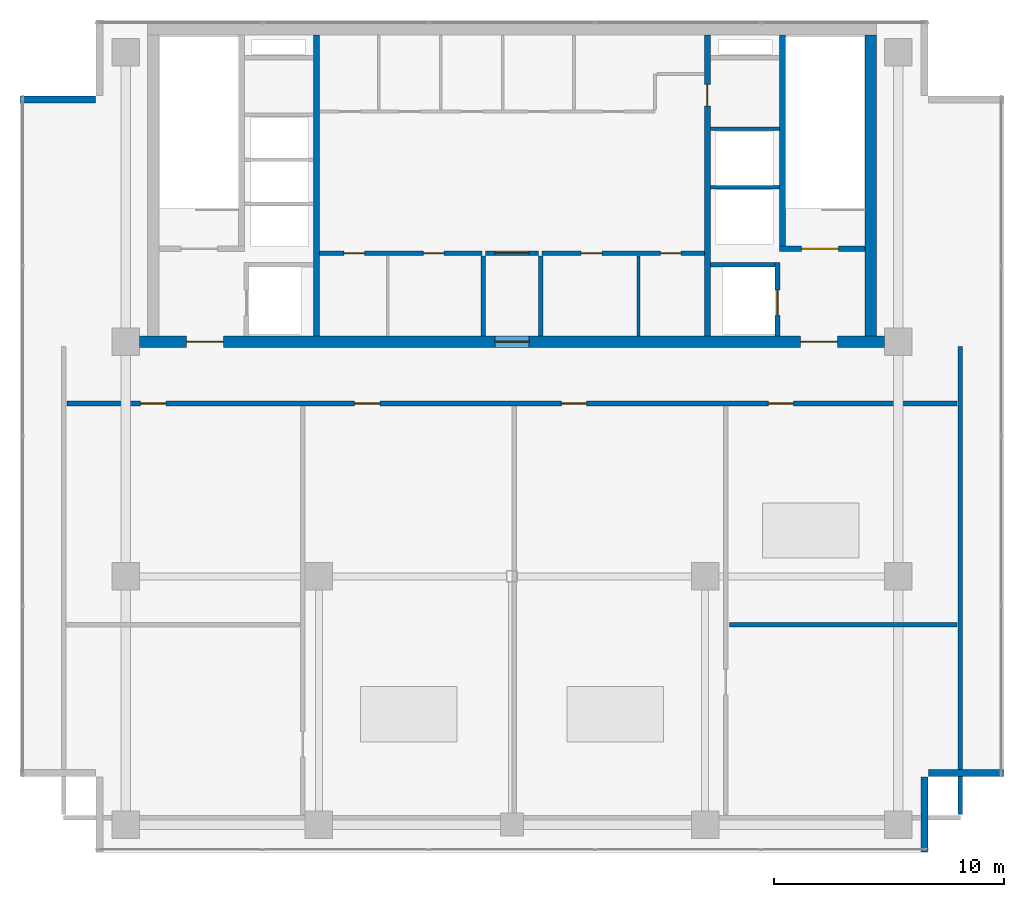
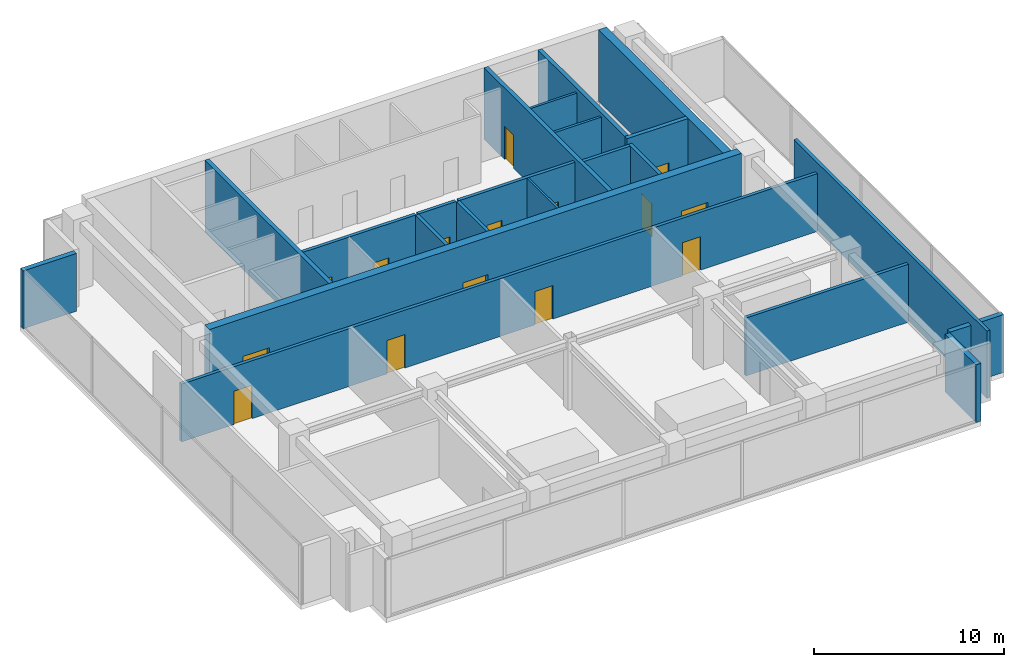
# One storey, part 16 of 19: 22 walls, 15 doors, 15 openings.
"""IFC4 building model written with IfcOpenShell, lengths in metres."""

import ifcopenshell
import ifcopenshell.guid

model = None  # the IFC model being written
_history = None  # IfcOwnerHistory: only IFC2X3 demands one
_inside = {}  # id of a spatial element -> (the spatial element, [elements in it])
_under = {}  # id of a project, library or spatial element -> (it, [spatial elements below it])
_declared = {}  # id of a project -> (the project, [libraries it declares])
_typed = {}  # id of a type object -> (the type object, [elements of that type])
_made_of = {}  # id of a material, layer set ... -> (it, [elements and type objects made of it])


def new_model(schema):
    """Start an empty IFC model of exactly this schema.

    Asked for "IFC4X3", IfcOpenShell would pick the latest addendum, in which some entities
    have other attributes; the version numbers below select the first issue.
    IFC2X3 requires an IfcOwnerHistory on every rooted entity: one is made here for all.
    """
    global model, _history
    if schema == "IFC4X3":
        model = ifcopenshell.file(schema_version=(4, 3, 0, 0))
    else:
        model = ifcopenshell.file(schema=schema)
    _inside.clear()
    _under.clear()
    _declared.clear()
    _typed.clear()
    _made_of.clear()
    _history = None
    if model.schema == "IFC2X3":
        org = make("IfcOrganization", Name="unknown")
        user = make(
            "IfcPersonAndOrganization",
            ThePerson=make("IfcPerson", FamilyName="unknown"),
            TheOrganization=org,
        )
        app = make(
            "IfcApplication",
            ApplicationDeveloper=org,
            Version="unknown",
            ApplicationFullName="unknown",
            ApplicationIdentifier="unknown",
        )
        _history = make(
            "IfcOwnerHistory",
            OwningUser=user,
            OwningApplication=app,
            ChangeAction="ADDED",
            CreationDate=0,
        )
    return model


def make(cls, **values):
    """One entity of the class cls with the attributes given. An attribute that is None is left unset."""
    return model.create_entity(
        cls, **{name: value for name, value in values.items() if value is not None}
    )


def rooted(cls, **values):
    """An entity with a GlobalId (a new one), such as an element, a storey or a relation."""
    return make(cls, GlobalId=ifcopenshell.guid.new(), OwnerHistory=_history, **values)


def si_unit(unit_type, name, prefix=None):
    """IfcSIUnit, for example si_unit("LENGTHUNIT", "METRE", prefix="MILLI")."""
    return make("IfcSIUnit", UnitType=unit_type, Prefix=prefix, Name=name)


def assignment(units):
    """IfcUnitAssignment: the units of a project."""
    return None if units is None else make("IfcUnitAssignment", Units=units)


def point(xyz):
    """IfcCartesianPoint."""
    return None if xyz is None else make("IfcCartesianPoint", Coordinates=xyz)


def direction(xyz):
    """IfcDirection."""
    return None if xyz is None else make("IfcDirection", DirectionRatios=xyz)


def frame(location, z_axis=None, x_axis=None):
    """IfcAxis2Placement3D, a coordinate frame: its origin and axes. An axis left out is left unset."""
    return make(
        "IfcAxis2Placement3D",
        Location=point(location),
        Axis=direction(z_axis),
        RefDirection=direction(x_axis),
    )


def frame_2d(location, x_axis=None):
    """IfcAxis2Placement2D, a coordinate frame in the plane: its origin and x axis."""
    return make(
        "IfcAxis2Placement2D", Location=point(location), RefDirection=direction(x_axis)
    )


def origin():
    """The frame at (0, 0, 0) with its axes left unset."""
    return frame((0.0, 0.0, 0.0))


def place(relative_to, where):
    """IfcLocalPlacement: puts the frame where relative to a parent placement (None: the world)."""
    return make(
        "IfcLocalPlacement", PlacementRelTo=relative_to, RelativePlacement=where
    )


def context(
    kind, dimensions, precision=None, world=None, true_north=None, identifier=None
):
    """IfcGeometricRepresentationContext, for example the 3D "Model" context."""
    return make(
        "IfcGeometricRepresentationContext",
        ContextIdentifier=identifier,
        ContextType=kind,
        CoordinateSpaceDimension=dimensions,
        Precision=precision,
        WorldCoordinateSystem=world,
        TrueNorth=true_north,
    )


def subcontext(parent, identifier, kind, view, scale=None):
    """IfcGeometricRepresentationSubContext, for example "Body" below "Model"."""
    return make(
        "IfcGeometricRepresentationSubContext",
        ContextIdentifier=identifier,
        ContextType=kind,
        ParentContext=parent,
        TargetScale=scale,
        TargetView=view,
    )


def project(units=None, contexts=None):
    """IfcProject with its units and contexts."""
    return rooted(
        "IfcProject",
        Name="project",
        RepresentationContexts=contexts,
        UnitsInContext=assignment(units),
    )


def spatial(cls, under=None, at=None, **own):
    """A site, building, storey or space (cls), placed at a placement, below another one or the project."""
    s = rooted(cls, ObjectPlacement=at, **own)
    if under is not None:
        _under.setdefault(under.id(), (under, []))[1].append(s)
    return s


def profile(cls, at=None, kind="AREA", **sizes):
    """A parametric profile (cls). Its sizes go by their IFC names, for example OverallWidth=200.0."""
    return make(cls, ProfileType=kind, Position=at, **sizes)


def rectangle(**sizes):
    """IfcRectangleProfileDef."""
    return profile("IfcRectangleProfileDef", **sizes)


def extrude(swept, where, along, depth):
    """IfcExtrudedAreaSolid: the profile swept, set in the frame where, extruded along a direction by depth."""
    return make(
        "IfcExtrudedAreaSolid",
        SweptArea=swept,
        Position=where,
        ExtrudedDirection=direction(along),
        Depth=depth,
    )


def shape(context_of_items, identifier, shape_type, items):
    """IfcShapeRepresentation: the items that make up one representation, for example the "Body"."""
    return make(
        "IfcShapeRepresentation",
        ContextOfItems=context_of_items,
        RepresentationIdentifier=identifier,
        RepresentationType=shape_type,
        Items=items,
    )


def source(mapping_origin, context_of_items, identifier, shape_type, items):
    """IfcRepresentationMap: a shape defined once, which mapped items show again and again."""
    return make(
        "IfcRepresentationMap",
        MappingOrigin=mapping_origin,
        MappedRepresentation=shape(context_of_items, identifier, shape_type, items),
    )


def transform(
    local_origin,
    x_axis=None,
    y_axis=None,
    z_axis=None,
    scale=None,
    scale2=None,
    scale3=None,
    uniform=True,
):
    """IfcCartesianTransformationOperator3D, or its non-uniform kind. x_axis, y_axis, z_axis: its Axis1, 2, 3."""
    if uniform:
        return make(
            "IfcCartesianTransformationOperator3D",
            Axis1=direction(x_axis),
            Axis2=direction(y_axis),
            LocalOrigin=point(local_origin),
            Scale=scale,
            Axis3=direction(z_axis),
        )
    return make(
        "IfcCartesianTransformationOperator3DnonUniform",
        Axis1=direction(x_axis),
        Axis2=direction(y_axis),
        LocalOrigin=point(local_origin),
        Scale=scale,
        Axis3=direction(z_axis),
        Scale2=scale2,
        Scale3=scale3,
    )


def mapped(mapping_source, mapping_target):
    """IfcMappedItem: shows the shape of a source again, moved by a transform."""
    return make(
        "IfcMappedItem", MappingSource=mapping_source, MappingTarget=mapping_target
    )


def material(Name=None, Category=None):
    """IfcMaterial."""
    return make("IfcMaterial", Name=Name, Category=Category)


def layer(
    of_material, thickness, ventilated=None, Name=None, Category=None, Priority=None
):
    """IfcMaterialLayer: one layer of a wall or slab, of a material (None: an air gap)."""
    return make(
        "IfcMaterialLayer",
        Material=of_material,
        LayerThickness=thickness,
        IsVentilated=ventilated,
        Name=Name,
        Category=Category,
        Priority=Priority,
    )


def layer_set(layers, Name=None):
    """IfcMaterialLayerSet."""
    return make("IfcMaterialLayerSet", MaterialLayers=layers, LayerSetName=Name)


def made_of(thing, what):
    """Note that an element or type object is made of a material, layer set ...; save() writes the relation."""
    if what is not None:
        _made_of.setdefault(what.id(), (what, []))[1].append(thing)
    return thing


def type_object(cls, material=None, **own):
    """A type object (cls), such as IfcWallType, which elements share."""
    return made_of(rooted(cls, **own), material)


def element(
    cls,
    number,
    at=None,
    inside=None,
    cuts=None,
    type_object=None,
    material=None,
    context=None,
    identifier="Body",
    shape_type=None,
    held_by="IfcProductDefinitionShape",
    body=None,
    shapes=None,
    **own,
):
    """One element of the class cls, such as IfcWall. Its Tag is "e" and its number.

    at: its placement. inside: the storey or other place that contains it. cuts: it is an
    opening in that element (IfcRelVoidsElement). A single representation is given by context,
    identifier, shape_type and body (its items); several are given by shapes. held_by: the class
    of the entity that holds the representations. save() writes the other relations.
    """
    e = rooted(cls, Tag="e%d" % number, ObjectPlacement=at, **own)
    if body is not None:
        shapes = [shape(context, identifier, shape_type, body)]
    if shapes is not None:
        e.Representation = make(held_by, Representations=shapes)
    if inside is not None:
        _inside.setdefault(inside.id(), (inside, []))[1].append(e)
    if cuts is not None:
        rooted(
            "IfcRelVoidsElement", RelatingBuildingElement=cuts, RelatedOpeningElement=e
        )
    if type_object is not None:
        _typed.setdefault(type_object.id(), (type_object, []))[1].append(e)
    return made_of(e, material)


def fill(opening, filler):
    """IfcRelFillsElement: the door or window that sits in an opening."""
    return rooted(
        "IfcRelFillsElement",
        RelatingOpeningElement=opening,
        RelatedBuildingElement=filler,
    )


def aggregate(whole, parts):
    """IfcRelAggregates: a whole, such as a stair, and the parts it consists of."""
    return rooted("IfcRelAggregates", RelatingObject=whole, RelatedObjects=parts)


def save(model, path):
    """Write the relations noted so far, then the file.

    IfcRelAggregates (storeys below a building ...), IfcRelContainedInSpatialStructure (elements
    in a storey), IfcRelDefinesByType, IfcRelAssociatesMaterial and IfcRelDeclares: one each for
    every whole, place, type object, material and project.
    """
    for whole, parts in _under.values():
        aggregate(whole, parts)
    for where, things in _inside.values():
        rooted(
            "IfcRelContainedInSpatialStructure",
            RelatedElements=things,
            RelatingStructure=where,
        )
    for kind, things in _typed.values():
        rooted("IfcRelDefinesByType", RelatedObjects=things, RelatingType=kind)
    for what, things in _made_of.values():
        rooted("IfcRelAssociatesMaterial", RelatedObjects=things, RelatingMaterial=what)
    for by, libraries in _declared.values():
        rooted("IfcRelDeclares", RelatingContext=by, RelatedDefinitions=libraries)
    model.write(path)


model = new_model("IFC4")

# Units and contexts
model_context = context("Model", 3, precision=1e-05, world=origin(), true_north=direction((0.0, 1.0)))
body_context = subcontext(model_context, "Body", "Model", "MODEL_VIEW")
ifc_project = project(units=[si_unit("LENGTHUNIT", "METRE"), si_unit("AREAUNIT", "SQUARE_METRE"), si_unit("VOLUMEUNIT", "CUBIC_METRE"), si_unit("PLANEANGLEUNIT", "RADIAN"), si_unit("MASSUNIT", "GRAM", prefix="KILO")], contexts=[model_context])

# Site, building, storey
site_placement = place(None, origin())
site = spatial("IfcSite", under=ifc_project, at=site_placement, CompositionType="ELEMENT")
building_placement = place(site_placement, origin())
building = spatial("IfcBuilding", under=site, at=building_placement, Name="Sumidabori Civic Tower", CompositionType="ELEMENT")
storey_placement = place(building_placement, frame((0.0, 0.0, 293.60009765625)))
storey = spatial("IfcBuildingStorey", under=building, at=storey_placement, Name="L77", CompositionType="ELEMENT", Elevation=293.60009765625)

# Wall, openings, doors
ifc_material_1 = material(Name="Concrete C50/60", Category="concrete")
ifc_layer_1 = layer(ifc_material_1, 0.5, Name="Concrete C50/60")
ifc_layer_set_1 = layer_set([ifc_layer_1], Name="Concrete C50/60")
wall_type_1 = type_object("IfcWallType", Name="WL-CORE-500", PredefinedType="SHEAR", material=ifc_layer_set_1)
shared_shape_1 = source(origin(), body_context, "Body", "SweptSolid", [
    extrude(rectangle(XDim=32.39990234375, YDim=0.5, at=frame_2d((16.199951171875, 0.0))), origin(), (0.0, 0.0, 1.0), 4.599853515625),
])
wall_1_placement = place(storey_placement, frame((-16.199951171875, 10.199951171875, 0.0), z_axis=(0.0, 0.0, 1.0), x_axis=(1.0, 0.0, 0.0)))
wall_1 = element("IfcWall", 1, at=wall_1_placement, inside=storey, type_object=wall_type_1, Name="Core Shear Wall L77 S", PredefinedType="SHEAR", context=body_context, shape_type="MappedRepresentation", body=[
    mapped(shared_shape_1, transform((0.0, 0.0, 0.0), x_axis=(1.0, 0.0, 0.0), y_axis=(0.0, 1.0, 0.0), z_axis=(0.0, 0.0, 1.0), scale=1.0)),
])
opening_1_placement = place(wall_1_placement, frame((2.050048828125, 0.0, 0.0)))
opening_1 = element("IfcOpeningElement", 2, at=opening_1_placement, cuts=wall_1, Name="Opening DR-FD4", PredefinedType="OPENING", context=body_context, shape_type="SweptSolid", body=[
    extrude(rectangle(XDim=1.60009765625, YDim=2.14990234375, at=frame_2d((0.800048828125, 1.074951171875))), frame((0.0, 0.261962890625, 0.0), z_axis=(0.0, -1.0, 0.0), x_axis=(1.0, 0.0, 0.0)), (0.0, 0.0, 1.0), 0.52392578125),
])
opening_2_placement = place(wall_1_placement, frame((28.75, 0.0, 0.0)))
opening_2 = element("IfcOpeningElement", 3, at=opening_2_placement, cuts=wall_1, Name="Opening DR-FD4", PredefinedType="OPENING", context=body_context, shape_type="SweptSolid", body=[
    extrude(rectangle(XDim=1.60009765625, YDim=2.14990234375, at=frame_2d((0.800048828125, 1.074951171875))), frame((0.0, 0.261962890625, 0.0), z_axis=(0.0, -1.0, 0.0), x_axis=(1.0, 0.0, 0.0)), (0.0, 0.0, 1.0), 0.52392578125),
])
opening_3_placement = place(wall_1_placement, frame((15.449951171875, 0.0, 0.0)))
opening_3 = element("IfcOpeningElement", 4, at=opening_3_placement, cuts=wall_1, Name="Opening DR-FD3", PredefinedType="OPENING", context=body_context, shape_type="SweptSolid", body=[
    extrude(rectangle(XDim=1.5, YDim=2.199951171875, at=frame_2d((0.75, 1.10009765625))), frame((0.0, 0.261962890625, 0.0), z_axis=(0.0, -1.0, 0.0), x_axis=(1.0, 0.0, 0.0)), (0.0, 0.0, 1.0), 0.52392578125),
])
ifc_material_2 = material(Name="Steel SN490", Category="steel")
door_type_1 = type_object("IfcDoorType", Name="DR-FD4", OperationType="DOUBLE_DOOR_SINGLE_SWING", PredefinedType="DOOR", material=ifc_material_2)
shared_shape_2 = source(origin(), body_context, "Body", "SweptSolid", [
    extrude(rectangle(XDim=1.60009765625, YDim=2.14990234375, at=frame_2d((0.800048828125, 1.074951171875))), frame((0.0, 0.02490234375, 0.0), z_axis=(0.0, -1.0, 0.0), x_axis=(1.0, 0.0, 0.0)), (0.0, 0.0, 1.0), 0.050048828125),
])
door_1_placement = place(opening_1_placement, origin())
door_1 = element("IfcDoor", 5, at=door_1_placement, inside=storey, type_object=door_type_1, Name="Door DR:L77:ELOB-W", OperationType="DOUBLE_DOOR_SINGLE_SWING", OverallHeight=2.14990234375, OverallWidth=1.60009765625, PredefinedType="DOOR", context=body_context, shape_type="MappedRepresentation", body=[
    mapped(shared_shape_2, transform((0.0, 0.0, 0.0), x_axis=(1.0, 0.0, 0.0), y_axis=(0.0, 1.0, 0.0), z_axis=(0.0, 0.0, 1.0), scale=1.0)),
])
fill(opening_1, door_1)
door_2_placement = place(opening_2_placement, origin())
door_2 = element("IfcDoor", 6, at=door_2_placement, inside=storey, type_object=door_type_1, Name="Door DR:L77:ELOB-E", OperationType="DOUBLE_DOOR_SINGLE_SWING", OverallHeight=2.14990234375, OverallWidth=1.60009765625, PredefinedType="DOOR", context=body_context, shape_type="MappedRepresentation", body=[
    mapped(shared_shape_2, transform((0.0, 0.0, 0.0), x_axis=(1.0, 0.0, 0.0), y_axis=(0.0, 1.0, 0.0), z_axis=(0.0, 0.0, 1.0), scale=1.0)),
])
fill(opening_2, door_2)
door_type_2 = type_object("IfcDoorType", Name="DR-FD-DBL", OperationType="DOUBLE_DOOR_SINGLE_SWING", PredefinedType="DOOR", material=ifc_material_2)
shared_shape_3 = source(origin(), body_context, "Body", "SweptSolid", [
    extrude(rectangle(XDim=1.5, YDim=2.199951171875, at=frame_2d((0.75, 1.10009765625))), frame((0.0, 0.02490234375, 0.0), z_axis=(0.0, -1.0, 0.0), x_axis=(1.0, 0.0, 0.0)), (0.0, 0.0, 1.0), 0.050048828125),
])
door_3_placement = place(opening_3_placement, origin())
door_3 = element("IfcDoor", 7, at=door_3_placement, inside=storey, type_object=door_type_2, Name="Door DR:L77:THROAT-OUT", OperationType="DOUBLE_DOOR_SINGLE_SWING", OverallHeight=2.199951171875, OverallWidth=1.5, PredefinedType="DOOR", context=body_context, shape_type="MappedRepresentation", body=[
    mapped(shared_shape_3, transform((0.0, 0.0, 0.0), x_axis=(1.0, 0.0, 0.0), y_axis=(0.0, 1.0, 0.0), z_axis=(0.0, 0.0, 1.0), scale=1.0)),
])
fill(opening_3, door_3)

# Walls
shared_shape_4 = source(origin(), body_context, "Body", "SweptSolid", [
    extrude(rectangle(XDim=13.10009765625, YDim=0.5, at=frame_2d((6.550048828125, 0.0))), origin(), (0.0, 0.0, 1.0), 4.599853515625),
])
wall_2_placement = place(storey_placement, frame((15.60009765625, 10.449951171875, 0.0), z_axis=(0.0, 0.0, 1.0), x_axis=(0.0, 1.0, 0.0)))
element("IfcWall", 8, at=wall_2_placement, inside=storey, type_object=wall_type_1, Name="Core Shear Wall L77 E", PredefinedType="SHEAR", context=body_context, shape_type="MappedRepresentation", body=[
    mapped(shared_shape_4, transform((0.0, 0.0, 0.0), x_axis=(1.0, 0.0, 0.0), y_axis=(0.0, 1.0, 0.0), z_axis=(0.0, 0.0, 1.0), scale=1.0)),
])
ifc_layer_2 = layer(ifc_material_1, 0.25, Name="Concrete C50/60")
ifc_layer_set_2 = layer_set([ifc_layer_2], Name="Concrete C50/60")
wall_type_2 = type_object("IfcWallType", Name="WL-SHAFT-250", PredefinedType="SHEAR", material=ifc_layer_set_2)
shared_shape_5 = source(origin(), body_context, "Body", "SweptSolid", [
    extrude(rectangle(XDim=13.10009765625, YDim=0.25, at=frame_2d((6.550048828125, 0.0))), origin(), (0.0, 0.0, 1.0), 4.599853515625),
])
wall_3_placement = place(storey_placement, frame((-8.5, 10.449951171875, 0.0), z_axis=(0.0, 0.0, 1.0), x_axis=(0.0, 1.0, 0.0)))
element("IfcWall", 9, at=wall_3_placement, inside=storey, type_object=wall_type_2, Name="Core Shear Wall L77 WEB-W", PredefinedType="SHEAR", context=body_context, shape_type="MappedRepresentation", body=[
    mapped(shared_shape_5, transform((0.0, 0.0, 0.0), x_axis=(1.0, 0.0, 0.0), y_axis=(0.0, 1.0, 0.0), z_axis=(0.0, 0.0, 1.0), scale=1.0)),
])

# Wall, opening, door
wall_4_placement = place(storey_placement, frame((8.5, 10.449951171875, 0.0), z_axis=(0.0, 0.0, 1.0), x_axis=(0.0, 1.0, 0.0)))
wall_4 = element("IfcWall", 10, at=wall_4_placement, inside=storey, type_object=wall_type_2, Name="Core Shear Wall L77 WEB-E", PredefinedType="SHEAR", context=body_context, shape_type="MappedRepresentation", body=[
    mapped(shared_shape_5, transform((0.0, 0.0, 0.0), x_axis=(1.0, 0.0, 0.0), y_axis=(0.0, 1.0, 0.0), z_axis=(0.0, 0.0, 1.0), scale=1.0)),
])
opening_4_placement = place(wall_4_placement, frame((10.0, 0.0, 0.0)))
opening_4 = element("IfcOpeningElement", 11, at=opening_4_placement, cuts=wall_4, Name="Opening DR-2", PredefinedType="OPENING", context=body_context, shape_type="SweptSolid", body=[
    extrude(rectangle(XDim=0.949951171875, YDim=2.14990234375, at=frame_2d((0.47509765625, 1.074951171875))), frame((0.0, 0.136962890625, 0.0), z_axis=(0.0, -1.0, 0.0), x_axis=(1.0, 0.0, 0.0)), (0.0, 0.0, 1.0), 0.27392578125),
])
ifc_material_3 = material(Name="Japanese Hinoki Timber", Category="wood")
door_type_3 = type_object("IfcDoorType", Name="DR-INT-950", OperationType="NOTDEFINED", PredefinedType="DOOR", material=ifc_material_3)
shared_shape_6 = source(origin(), body_context, "Body", "SweptSolid", [
    extrude(rectangle(XDim=0.949951171875, YDim=2.14990234375, at=frame_2d((0.47509765625, 1.074951171875))), frame((0.0, 0.02490234375, 0.0), z_axis=(0.0, -1.0, 0.0), x_axis=(1.0, 0.0, 0.0)), (0.0, 0.0, 1.0), 0.050048828125),
])
door_4_placement = place(opening_4_placement, origin())
door_4 = element("IfcDoor", 12, at=door_4_placement, inside=storey, type_object=door_type_3, Name="Door DR:L77:WC-ACC", OperationType="SINGLE_SWING_RIGHT", OverallHeight=2.14990234375, OverallWidth=0.949951171875, PredefinedType="DOOR", context=body_context, shape_type="MappedRepresentation", body=[
    mapped(shared_shape_6, transform((0.0, 0.0, 0.0), x_axis=(1.0, 0.0, 0.0), y_axis=(0.0, 1.0, 0.0), z_axis=(0.0, 0.0, 1.0), scale=1.0)),
])
fill(opening_4, door_4)

shared_shape_7 = source(origin(), body_context, "Body", "SweptSolid", [
    extrude(rectangle(XDim=3.705078125, YDim=0.25, at=frame_2d((1.8525390625, 0.0))), origin(), (0.0, 0.0, 1.0), 4.599853515625),
])
wall_5_placement = place(storey_placement, frame((11.64501953125, 14.25, 0.0), z_axis=(0.0, 0.0, 1.0), x_axis=(1.0, 0.0, 0.0)))
wall_5 = element("IfcWall", 13, at=wall_5_placement, inside=storey, type_object=wall_type_2, Name="Core Shear Wall L77 ST2-S", PredefinedType="SHEAR", context=body_context, shape_type="MappedRepresentation", body=[
    mapped(shared_shape_7, transform((0.0, 0.0, 0.0), x_axis=(1.0, 0.0, 0.0), y_axis=(0.0, 1.0, 0.0), z_axis=(0.0, 0.0, 1.0), scale=1.0)),
])
opening_5_placement = place(wall_5_placement, frame((0.949951171875, 0.0, 0.0)))
opening_5 = element("IfcOpeningElement", 14, at=opening_5_placement, cuts=wall_5, Name="Opening DR-FD4", PredefinedType="OPENING", context=body_context, shape_type="SweptSolid", body=[
    extrude(rectangle(XDim=1.60009765625, YDim=2.14990234375, at=frame_2d((0.800048828125, 1.074951171875))), frame((0.0, 0.136962890625, 0.0), z_axis=(0.0, -1.0, 0.0), x_axis=(1.0, 0.0, 0.0)), (0.0, 0.0, 1.0), 0.27392578125),
])
door_5_placement = place(opening_5_placement, origin())
door_5 = element("IfcDoor", 15, at=door_5_placement, inside=storey, type_object=door_type_1, Name="Door DR:L77:ST2", OperationType="DOUBLE_DOOR_SINGLE_SWING", OverallHeight=2.14990234375, OverallWidth=1.60009765625, PredefinedType="DOOR", context=body_context, shape_type="MappedRepresentation", body=[
    mapped(shared_shape_2, transform((0.0, 0.0, 0.0), x_axis=(1.0, 0.0, 0.0), y_axis=(0.0, 1.0, 0.0), z_axis=(0.0, 0.0, 1.0), scale=1.0)),
])
fill(opening_5, door_5)

# Wall
shared_shape_8 = source(origin(), body_context, "Body", "SweptSolid", [
    extrude(rectangle(XDim=9.175048828125, YDim=0.25, at=frame_2d((4.58740234375, 0.0))), origin(), (0.0, 0.0, 1.0), 4.599853515625),
])
wall_6_placement = place(storey_placement, frame((11.77001953125, 14.375, 0.0), z_axis=(0.0, 0.0, 1.0), x_axis=(0.0, 1.0, 0.0)))
element("IfcWall", 16, at=wall_6_placement, inside=storey, type_object=wall_type_2, Name="Core Shear Wall L77 ST2-W", PredefinedType="SHEAR", context=body_context, shape_type="MappedRepresentation", body=[
    mapped(shared_shape_8, transform((0.0, 0.0, 0.0), x_axis=(1.0, 0.0, 0.0), y_axis=(0.0, 1.0, 0.0), z_axis=(0.0, 0.0, 1.0), scale=1.0)),
])

# Wall, opening, door
ifc_layer_3 = layer(ifc_material_1, 0.199951171875, Name="Concrete C50/60")
ifc_layer_set_3 = layer_set([ifc_layer_3], Name="Concrete C50/60")
wall_type_3 = type_object("IfcWallType", Name="WL-SHAFT-200", PredefinedType="SHEAR", material=ifc_layer_set_3)
shared_shape_9 = source(origin(), body_context, "Body", "SweptSolid", [
    extrude(rectangle(XDim=3.199951171875, YDim=0.199951171875, at=frame_2d((1.60009765625, 0.0))), origin(), (0.0, 0.0, 1.0), 4.599853515625),
])
wall_7_placement = place(storey_placement, frame((11.550048828125, 10.449951171875, 0.0), z_axis=(0.0, 0.0, 1.0), x_axis=(0.0, 1.0, 0.0)))
wall_7 = element("IfcWall", 17, at=wall_7_placement, inside=storey, type_object=wall_type_3, Name="Core Shear Wall L77 EL2-E", PredefinedType="SHEAR", context=body_context, shape_type="MappedRepresentation", body=[
    mapped(shared_shape_9, transform((0.0, 0.0, 0.0), x_axis=(1.0, 0.0, 0.0), y_axis=(0.0, 1.0, 0.0), z_axis=(0.0, 0.0, 1.0), scale=1.0)),
])
opening_6_placement = place(wall_7_placement, frame((0.89990234375, 0.0, 0.0)))
opening_6 = element("IfcOpeningElement", 18, at=opening_6_placement, cuts=wall_7, Name="Opening LD-2", PredefinedType="OPENING", context=body_context, shape_type="SweptSolid", body=[
    extrude(rectangle(XDim=1.10009765625, YDim=2.14990234375, at=frame_2d((0.550048828125, 1.074951171875))), frame((0.0, 0.11181640625, 0.0), z_axis=(0.0, -1.0, 0.0), x_axis=(1.0, 0.0, 0.0)), (0.0, 0.0, 1.0), 0.223876953125),
])
ifc_material_4 = material(Name="Stainless Steel Hairline Finish", Category="steel")
door_type_4 = type_object("IfcDoorType", Name="DR-LD2", OperationType="DOUBLE_DOOR_SLIDING", PredefinedType="DOOR", material=ifc_material_4)
shared_shape_10 = source(origin(), body_context, "Body", "SweptSolid", [
    extrude(rectangle(XDim=1.10009765625, YDim=2.14990234375, at=frame_2d((0.550048828125, 1.074951171875))), frame((0.0, 0.02490234375, 0.0), z_axis=(0.0, -1.0, 0.0), x_axis=(1.0, 0.0, 0.0)), (0.0, 0.0, 1.0), 0.050048828125),
])
door_6_placement = place(opening_6_placement, origin())
door_6 = element("IfcDoor", 19, at=door_6_placement, inside=storey, type_object=door_type_4, Name="Door DR:L77:LD-EL2", OperationType="DOUBLE_DOOR_SLIDING", OverallHeight=2.14990234375, OverallWidth=1.10009765625, PredefinedType="DOOR", context=body_context, shape_type="MappedRepresentation", body=[
    mapped(shared_shape_10, transform((0.0, 0.0, 0.0), x_axis=(1.0, 0.0, 0.0), y_axis=(0.0, 1.0, 0.0), z_axis=(0.0, 0.0, 1.0), scale=1.0)),
])
fill(opening_6, door_6)

# Walls
shared_shape_11 = source(origin(), body_context, "Body", "SweptSolid", [
    extrude(rectangle(XDim=2.824951171875, YDim=0.199951171875, at=frame_2d((1.41259765625, 0.0))), origin(), (0.0, 0.0, 1.0), 4.599853515625),
])
wall_8_placement = place(storey_placement, frame((8.625, 13.550048828125, 0.0), z_axis=(0.0, 0.0, 1.0), x_axis=(1.0, 0.0, 0.0)))
element("IfcWall", 20, at=wall_8_placement, inside=storey, type_object=wall_type_3, Name="Core Shear Wall L77 EL2-N", PredefinedType="SHEAR", context=body_context, shape_type="MappedRepresentation", body=[
    mapped(shared_shape_11, transform((0.0, 0.0, 0.0), x_axis=(1.0, 0.0, 0.0), y_axis=(0.0, 1.0, 0.0), z_axis=(0.0, 0.0, 1.0), scale=1.0)),
])
ifc_material_5 = material(Name="Precast concrete C40/50", Category="concrete")
ifc_layer_4 = layer(ifc_material_5, 0.300048828125, Name="Precast concrete C40/50")
ifc_layer_set_4 = layer_set([ifc_layer_4], Name="Precast concrete C40/50")
wall_type_4 = type_object("IfcWallType", Name="WL-EXT-POD300", PredefinedType="STANDARD", material=ifc_layer_set_4)
shared_shape_12 = source(origin(), body_context, "Body", "SweptSolid", [
    extrude(rectangle(XDim=3.260009765625, YDim=0.300048828125, at=frame_2d((1.6298828125, 0.0))), origin(), (0.0, 0.0, 1.0), 3.719970703125),
])
wall_9_placement = place(storey_placement, frame((17.949951171875, -11.97998046875, 0.0), z_axis=(0.0, 0.0, 1.0), x_axis=(0.0, 1.0, 0.0)))
element("IfcWall", 21, at=wall_9_placement, inside=storey, type_object=wall_type_4, Name="Notched Corner Spandrel Band L77-02", PredefinedType="STANDARD", context=body_context, shape_type="MappedRepresentation", body=[
    mapped(shared_shape_12, transform((0.0, 0.0, 0.0), x_axis=(1.0, 0.0, 0.0), y_axis=(0.0, 1.0, 0.0), z_axis=(0.0, 0.0, 1.0), scale=1.0)),
])
shared_shape_13 = source(origin(), body_context, "Body", "SweptSolid", [
    extrude(rectangle(XDim=3.259765625, YDim=0.300048828125, at=frame_2d((1.6298828125, 0.0))), origin(), (0.0, 0.0, 1.0), 3.719970703125),
])
for number, where, z_axis, x_axis, name in (
    (22, (18.1201171875, -8.550048828125, 0.0), (0.0, 0.0, 1.0), (1.0, 0.0, 0.0), "Notched Corner Spandrel Band L77-03"),
    (23, (-18.1201171875, 20.75, 0.0), (0.0, 0.0, 1.0), (-1.0, 0.0, 0.0), "Notched Corner Spandrel Band L77-09"),
):
    element("IfcWall", number, at=place(storey_placement, frame(where, z_axis=z_axis, x_axis=x_axis)), inside=storey, type_object=wall_type_4, Name=name, PredefinedType="STANDARD", context=body_context, shape_type="MappedRepresentation", body=[
        mapped(shared_shape_13, transform((0.0, 0.0, 0.0), x_axis=(1.0, 0.0, 0.0), y_axis=(0.0, 1.0, 0.0), z_axis=(0.0, 0.0, 1.0), scale=1.0)),
    ])
ifc_material_6 = material(Name="Gypsum Plasterboard Acoustic Partition")
ifc_layer_5 = layer(ifc_material_6, 0.14990234375, Name="Gypsum Plasterboard Acoustic Partition")
ifc_layer_set_5 = layer_set([ifc_layer_5], Name="Gypsum Plasterboard Acoustic Partition")
wall_type_5 = type_object("IfcWallType", Name="WL-PART-150", PredefinedType="PARTITIONING", material=ifc_layer_set_5)
shared_shape_14 = source(origin(), body_context, "Body", "SweptSolid", [
    extrude(rectangle(XDim=3.010009765625, YDim=0.14990234375, at=frame_2d((1.5048828125, 0.0))), origin(), (0.0, 0.0, 1.0), 4.33984375),
])
for number, where, z_axis, x_axis, name in (
    (24, (8.6298828125, 16.919921875, 0.0), (0.0, 0.0, 1.0), (1.0, 0.0, 0.0), "Interior Partition WL:L77:DIV-OBS1"),
    (25, (8.6298828125, 19.469970703125, 0.0), (0.0, 0.0, 1.0), (1.0, 0.0, 0.0), "Interior Partition WL:L77:DIV-OBS2"),
):
    element("IfcWall", number, at=place(storey_placement, frame(where, z_axis=z_axis, x_axis=x_axis)), inside=storey, type_object=wall_type_5, Name=name, PredefinedType="PARTITIONING", context=body_context, shape_type="MappedRepresentation", body=[
        mapped(shared_shape_14, transform((0.0, 0.0, 0.0), x_axis=(1.0, 0.0, 0.0), y_axis=(0.0, 1.0, 0.0), z_axis=(0.0, 0.0, 1.0), scale=1.0)),
    ])

# Wall, openings, doors
ifc_material_7 = material(Name="Gypsum Plasterboard Fire Partition")
ifc_layer_6 = layer(ifc_material_7, 0.199951171875, Name="Gypsum Plasterboard Fire Partition")
ifc_layer_set_6 = layer_set([ifc_layer_6], Name="Gypsum Plasterboard Fire Partition")
wall_type_6 = type_object("IfcWallType", Name="WL-PART-FIRE", PredefinedType="PARTITIONING", material=ifc_layer_set_6)
shared_shape_15 = source(origin(), body_context, "Body", "SweptSolid", [
    extrude(rectangle(XDim=7.070068359375, YDim=0.199951171875, at=frame_2d((3.53515625, 0.0))), origin(), (0.0, 0.0, 1.0), 4.33984375),
])
wall_10_placement = place(storey_placement, frame((-8.3701171875, 14.050048828125, 0.0), z_axis=(0.0, 0.0, 1.0), x_axis=(1.0, 0.0, 0.0)))
wall_10 = element("IfcWall", 26, at=wall_10_placement, inside=storey, type_object=wall_type_6, Name="Interior Partition WL:L77:CBAND-SW", PredefinedType="PARTITIONING", context=body_context, shape_type="MappedRepresentation", body=[
    mapped(shared_shape_15, transform((0.0, 0.0, 0.0), x_axis=(1.0, 0.0, 0.0), y_axis=(0.0, 1.0, 0.0), z_axis=(0.0, 0.0, 1.0), scale=1.0)),
])
opening_7_placement = place(wall_10_placement, frame((1.06005859375, 0.0, 0.0)))
opening_7 = element("IfcOpeningElement", 27, at=opening_7_placement, cuts=wall_10, Name="Opening DR-1", PredefinedType="OPENING", context=body_context, shape_type="SweptSolid", body=[
    extrude(rectangle(XDim=0.89990234375, YDim=2.14990234375, at=frame_2d((0.449951171875, 1.074951171875))), frame((0.0, 0.11181640625, 0.0), z_axis=(0.0, -1.0, 0.0), x_axis=(1.0, 0.0, 0.0)), (0.0, 0.0, 1.0), 0.223876953125),
])
opening_8_placement = place(wall_10_placement, frame((4.510009765625, 0.0, 0.0)))
opening_8 = element("IfcOpeningElement", 28, at=opening_8_placement, cuts=wall_10, Name="Opening DR-1", PredefinedType="OPENING", context=body_context, shape_type="SweptSolid", body=[
    extrude(rectangle(XDim=0.89990234375, YDim=2.14990234375, at=frame_2d((0.449951171875, 1.074951171875))), frame((0.0, 0.11181640625, 0.0), z_axis=(0.0, -1.0, 0.0), x_axis=(1.0, 0.0, 0.0)), (0.0, 0.0, 1.0), 0.223876953125),
])
door_type_5 = type_object("IfcDoorType", Name="DR-INT-900", OperationType="NOTDEFINED", PredefinedType="DOOR", material=ifc_material_3)
shared_shape_16 = source(origin(), body_context, "Body", "SweptSolid", [
    extrude(rectangle(XDim=0.89990234375, YDim=2.14990234375, at=frame_2d((0.449951171875, 1.074951171875))), frame((0.0, 0.02490234375, 0.0), z_axis=(0.0, -1.0, 0.0), x_axis=(1.0, 0.0, 0.0)), (0.0, 0.0, 1.0), 0.050048828125),
])
door_7_placement = place(opening_7_placement, origin())
door_7 = element("IfcDoor", 29, at=door_7_placement, inside=storey, type_object=door_type_5, Name="Door DR:L77:REC-B1A", OperationType="SINGLE_SWING_LEFT", OverallHeight=2.14990234375, OverallWidth=0.89990234375, PredefinedType="DOOR", context=body_context, shape_type="MappedRepresentation", body=[
    mapped(shared_shape_16, transform((0.0, 0.0, 0.0), x_axis=(1.0, 0.0, 0.0), y_axis=(0.0, 1.0, 0.0), z_axis=(0.0, 0.0, 1.0), scale=1.0)),
])
fill(opening_7, door_7)
door_8_placement = place(opening_8_placement, origin())
door_8 = element("IfcDoor", 30, at=door_8_placement, inside=storey, type_object=door_type_5, Name="Door DR:L77:REC-B1B", OperationType="SINGLE_SWING_RIGHT", OverallHeight=2.14990234375, OverallWidth=0.89990234375, PredefinedType="DOOR", context=body_context, shape_type="MappedRepresentation", body=[
    mapped(shared_shape_16, transform((0.0, 0.0, 0.0), x_axis=(1.0, 0.0, 0.0), y_axis=(0.0, 1.0, 0.0), z_axis=(0.0, 0.0, 1.0), scale=1.0)),
])
fill(opening_8, door_8)

wall_11_placement = place(storey_placement, frame((1.300048828125, 14.050048828125, 0.0), z_axis=(0.0, 0.0, 1.0), x_axis=(1.0, 0.0, 0.0)))
wall_11 = element("IfcWall", 31, at=wall_11_placement, inside=storey, type_object=wall_type_6, Name="Interior Partition WL:L77:CBAND-SE", PredefinedType="PARTITIONING", context=body_context, shape_type="MappedRepresentation", body=[
    mapped(shared_shape_15, transform((0.0, 0.0, 0.0), x_axis=(1.0, 0.0, 0.0), y_axis=(0.0, 1.0, 0.0), z_axis=(0.0, 0.0, 1.0), scale=1.0)),
])
opening_9_placement = place(wall_11_placement, frame((1.7099609375, 0.0, 0.0)))
opening_9 = element("IfcOpeningElement", 32, at=opening_9_placement, cuts=wall_11, Name="Opening DR-1", PredefinedType="OPENING", context=body_context, shape_type="SweptSolid", body=[
    extrude(rectangle(XDim=0.89990234375, YDim=2.14990234375, at=frame_2d((0.449951171875, 1.074951171875))), frame((0.0, 0.11181640625, 0.0), z_axis=(0.0, -1.0, 0.0), x_axis=(1.0, 0.0, 0.0)), (0.0, 0.0, 1.0), 0.223876953125),
])
opening_10_placement = place(wall_11_placement, frame((5.159912109375, 0.0, 0.0)))
opening_10 = element("IfcOpeningElement", 33, at=opening_10_placement, cuts=wall_11, Name="Opening DR-1", PredefinedType="OPENING", context=body_context, shape_type="SweptSolid", body=[
    extrude(rectangle(XDim=0.89990234375, YDim=2.14990234375, at=frame_2d((0.449951171875, 1.074951171875))), frame((0.0, 0.11181640625, 0.0), z_axis=(0.0, -1.0, 0.0), x_axis=(1.0, 0.0, 0.0)), (0.0, 0.0, 1.0), 0.223876953125),
])
door_9_placement = place(opening_9_placement, origin())
door_9 = element("IfcDoor", 34, at=door_9_placement, inside=storey, type_object=door_type_5, Name="Door DR:L77:REC-B2A", OperationType="SINGLE_SWING_LEFT", OverallHeight=2.14990234375, OverallWidth=0.89990234375, PredefinedType="DOOR", context=body_context, shape_type="MappedRepresentation", body=[
    mapped(shared_shape_16, transform((0.0, 0.0, 0.0), x_axis=(1.0, 0.0, 0.0), y_axis=(0.0, 1.0, 0.0), z_axis=(0.0, 0.0, 1.0), scale=1.0)),
])
fill(opening_9, door_9)
door_10_placement = place(opening_10_placement, origin())
door_10 = element("IfcDoor", 35, at=door_10_placement, inside=storey, type_object=door_type_5, Name="Door DR:L77:REC-B2B", OperationType="SINGLE_SWING_RIGHT", OverallHeight=2.14990234375, OverallWidth=0.89990234375, PredefinedType="DOOR", context=body_context, shape_type="MappedRepresentation", body=[
    mapped(shared_shape_16, transform((0.0, 0.0, 0.0), x_axis=(1.0, 0.0, 0.0), y_axis=(0.0, 1.0, 0.0), z_axis=(0.0, 0.0, 1.0), scale=1.0)),
])
fill(opening_10, door_10)

# Walls
shared_shape_17 = source(origin(), body_context, "Body", "SweptSolid", [
    extrude(rectangle(XDim=3.489990234375, YDim=0.199951171875, at=frame_2d((1.7451171875, 0.0))), origin(), (0.0, 0.0, 1.0), 4.33984375),
])
for number, where, z_axis, x_axis, name in (
    (36, (-1.25, 10.449951171875, 0.0), (0.0, 0.0, 1.0), (0.0, 1.0, 0.0), "Interior Partition WL:L77:THROAT-W"),
    (37, (1.25, 10.449951171875, 0.0), (0.0, 0.0, 1.0), (0.0, 1.0, 0.0), "Interior Partition WL:L77:THROAT-E"),
):
    element("IfcWall", number, at=place(storey_placement, frame(where, z_axis=z_axis, x_axis=x_axis)), inside=storey, type_object=wall_type_6, Name=name, PredefinedType="PARTITIONING", context=body_context, shape_type="MappedRepresentation", body=[
        mapped(shared_shape_17, transform((0.0, 0.0, 0.0), x_axis=(1.0, 0.0, 0.0), y_axis=(0.0, 1.0, 0.0), z_axis=(0.0, 0.0, 1.0), scale=1.0)),
    ])

# Wall, opening, door
shared_shape_18 = source(origin(), body_context, "Body", "SweptSolid", [
    extrude(rectangle(XDim=2.2998046875, YDim=0.199951171875, at=frame_2d((1.14990234375, 0.0))), origin(), (0.0, 0.0, 1.0), 4.33984375),
])
wall_12_placement = place(storey_placement, frame((-1.14990234375, 14.050048828125, 0.0), z_axis=(0.0, 0.0, 1.0), x_axis=(1.0, 0.0, 0.0)))
wall_12 = element("IfcWall", 38, at=wall_12_placement, inside=storey, type_object=wall_type_6, Name="Interior Partition WL:L77:THROAT-N", PredefinedType="PARTITIONING", context=body_context, shape_type="MappedRepresentation", body=[
    mapped(shared_shape_18, transform((0.0, 0.0, 0.0), x_axis=(1.0, 0.0, 0.0), y_axis=(0.0, 1.0, 0.0), z_axis=(0.0, 0.0, 1.0), scale=1.0)),
])
opening_11_placement = place(wall_12_placement, frame((0.39990234375, 0.0, 0.0)))
opening_11 = element("IfcOpeningElement", 39, at=opening_11_placement, cuts=wall_12, Name="Opening DR-FD3", PredefinedType="OPENING", context=body_context, shape_type="SweptSolid", body=[
    extrude(rectangle(XDim=1.5, YDim=2.199951171875, at=frame_2d((0.75, 1.10009765625))), frame((0.0, 0.11181640625, 0.0), z_axis=(0.0, -1.0, 0.0), x_axis=(1.0, 0.0, 0.0)), (0.0, 0.0, 1.0), 0.223876953125),
])
door_11_placement = place(opening_11_placement, origin())
door_11 = element("IfcDoor", 40, at=door_11_placement, inside=storey, type_object=door_type_2, Name="Door DR:L77:THROAT-IN", OperationType="DOUBLE_DOOR_SINGLE_SWING", OverallHeight=2.199951171875, OverallWidth=1.5, PredefinedType="DOOR", context=body_context, shape_type="MappedRepresentation", body=[
    mapped(shared_shape_3, transform((0.0, 0.0, 0.0), x_axis=(1.0, 0.0, 0.0), y_axis=(0.0, 1.0, 0.0), z_axis=(0.0, 0.0, 1.0), scale=1.0)),
])
fill(opening_11, door_11)

# Walls
ifc_layer_7 = layer(ifc_material_6, 0.1201171875, Name="Gypsum Plasterboard Acoustic Partition")
ifc_layer_set_7 = layer_set([ifc_layer_7], Name="Gypsum Plasterboard Acoustic Partition")
wall_type_7 = type_object("IfcWallType", Name="WL-PART-120", PredefinedType="PARTITIONING", material=ifc_layer_set_7)
shared_shape_19 = source(origin(), body_context, "Body", "SweptSolid", [
    extrude(rectangle(XDim=3.489990234375, YDim=0.1201171875, at=frame_2d((1.7451171875, 0.0))), origin(), (0.0, 0.0, 1.0), 4.33984375),
])
wall_13_placement = place(storey_placement, frame((5.5, 10.449951171875, 0.0), z_axis=(0.0, 0.0, 1.0), x_axis=(0.0, 1.0, 0.0)))
element("IfcWall", 41, at=wall_13_placement, inside=storey, type_object=wall_type_7, Name="Interior Partition WL:L77:REC-B2-SP", PredefinedType="PARTITIONING", context=body_context, shape_type="MappedRepresentation", body=[
    mapped(shared_shape_19, transform((0.0, 0.0, 0.0), x_axis=(1.0, 0.0, 0.0), y_axis=(0.0, 1.0, 0.0), z_axis=(0.0, 0.0, 1.0), scale=1.0)),
])
shared_shape_20 = source(origin(), body_context, "Body", "SweptSolid", [
    extrude(rectangle(XDim=20.35009765625, YDim=0.199951171875, at=frame_2d((10.175048828125, 0.0))), origin(), (0.0, 0.0, 1.0), 4.33984375),
])
wall_14_placement = place(storey_placement, frame((19.5, -10.35009765625, 0.0), z_axis=(0.0, 0.0, 1.0), x_axis=(0.0, 1.0, 0.0)))
element("IfcWall", 42, at=wall_14_placement, inside=storey, type_object=wall_type_6, Name="Interior Partition WL:L77:PL-E", PredefinedType="PARTITIONING", context=body_context, shape_type="MappedRepresentation", body=[
    mapped(shared_shape_20, transform((0.0, 0.0, 0.0), x_axis=(1.0, 0.0, 0.0), y_axis=(0.0, 1.0, 0.0), z_axis=(0.0, 0.0, 1.0), scale=1.0)),
])

# Wall, openings, doors
shared_shape_21 = source(origin(), body_context, "Body", "SweptSolid", [
    extrude(rectangle(XDim=38.7001953125, YDim=0.199951171875, at=frame_2d((19.35009765625, 0.0))), origin(), (0.0, 0.0, 1.0), 3.724853515625),
])
wall_15_placement = place(storey_placement, frame((-19.35009765625, 7.52001953125, 0.0), z_axis=(0.0, 0.0, 1.0), x_axis=(1.0, 0.0, 0.0)))
wall_15 = element("IfcWall", 43, at=wall_15_placement, inside=storey, type_object=wall_type_6, Name="Interior Partition WL:L77:PCORR-S", PredefinedType="PARTITIONING", context=body_context, shape_type="MappedRepresentation", body=[
    mapped(shared_shape_21, transform((0.0, 0.0, 0.0), x_axis=(1.0, 0.0, 0.0), y_axis=(0.0, 1.0, 0.0), z_axis=(0.0, 0.0, 1.0), scale=1.0)),
])
opening_12_placement = place(wall_15_placement, frame((3.199951171875, 0.0, 0.0)))
opening_12 = element("IfcOpeningElement", 44, at=opening_12_placement, cuts=wall_15, Name="Opening DR-FD1", PredefinedType="OPENING", context=body_context, shape_type="SweptSolid", body=[
    extrude(rectangle(XDim=1.10009765625, YDim=2.14990234375, at=frame_2d((0.550048828125, 1.074951171875))), frame((0.0, 0.11181640625, 0.0), z_axis=(0.0, -1.0, 0.0), x_axis=(1.0, 0.0, 0.0)), (0.0, 0.0, 1.0), 0.223876953125),
])
opening_13_placement = place(wall_15_placement, frame((12.5, 0.0, 0.0)))
opening_13 = element("IfcOpeningElement", 45, at=opening_13_placement, cuts=wall_15, Name="Opening DR-FD1", PredefinedType="OPENING", context=body_context, shape_type="SweptSolid", body=[
    extrude(rectangle(XDim=1.10009765625, YDim=2.14990234375, at=frame_2d((0.550048828125, 1.074951171875))), frame((0.0, 0.11181640625, 0.0), z_axis=(0.0, -1.0, 0.0), x_axis=(1.0, 0.0, 0.0)), (0.0, 0.0, 1.0), 0.223876953125),
])
opening_14_placement = place(wall_15_placement, frame((21.5, 0.0, 0.0)))
opening_14 = element("IfcOpeningElement", 46, at=opening_14_placement, cuts=wall_15, Name="Opening DR-FD1", PredefinedType="OPENING", context=body_context, shape_type="SweptSolid", body=[
    extrude(rectangle(XDim=1.10009765625, YDim=2.14990234375, at=frame_2d((0.550048828125, 1.074951171875))), frame((0.0, 0.11181640625, 0.0), z_axis=(0.0, -1.0, 0.0), x_axis=(1.0, 0.0, 0.0)), (0.0, 0.0, 1.0), 0.223876953125),
])
opening_15_placement = place(wall_15_placement, frame((30.5, 0.0, 0.0)))
opening_15 = element("IfcOpeningElement", 47, at=opening_15_placement, cuts=wall_15, Name="Opening DR-FD1", PredefinedType="OPENING", context=body_context, shape_type="SweptSolid", body=[
    extrude(rectangle(XDim=1.10009765625, YDim=2.14990234375, at=frame_2d((0.550048828125, 1.074951171875))), frame((0.0, 0.11181640625, 0.0), z_axis=(0.0, -1.0, 0.0), x_axis=(1.0, 0.0, 0.0)), (0.0, 0.0, 1.0), 0.223876953125),
])
door_type_6 = type_object("IfcDoorType", Name="DR-FD1", OperationType="NOTDEFINED", PredefinedType="DOOR", material=ifc_material_2)
shared_shape_22 = source(origin(), body_context, "Body", "SweptSolid", [
    extrude(rectangle(XDim=1.10009765625, YDim=2.14990234375, at=frame_2d((0.550048828125, 1.074951171875))), frame((0.0, 0.02490234375, 0.0), z_axis=(0.0, -1.0, 0.0), x_axis=(1.0, 0.0, 0.0)), (0.0, 0.0, 1.0), 0.050048828125),
])
door_12_placement = place(opening_12_placement, origin())
door_12 = element("IfcDoor", 48, at=door_12_placement, inside=storey, type_object=door_type_6, Name="Door DR:L77:PL-1", OperationType="SINGLE_SWING_LEFT", OverallHeight=2.14990234375, OverallWidth=1.10009765625, PredefinedType="DOOR", context=body_context, shape_type="MappedRepresentation", body=[
    mapped(shared_shape_22, transform((0.0, 0.0, 0.0), x_axis=(1.0, 0.0, 0.0), y_axis=(0.0, 1.0, 0.0), z_axis=(0.0, 0.0, 1.0), scale=1.0)),
])
fill(opening_12, door_12)
door_13_placement = place(opening_13_placement, origin())
door_13 = element("IfcDoor", 49, at=door_13_placement, inside=storey, type_object=door_type_6, Name="Door DR:L77:PL-2", OperationType="SINGLE_SWING_RIGHT", OverallHeight=2.14990234375, OverallWidth=1.10009765625, PredefinedType="DOOR", context=body_context, shape_type="MappedRepresentation", body=[
    mapped(shared_shape_22, transform((0.0, 0.0, 0.0), x_axis=(1.0, 0.0, 0.0), y_axis=(0.0, 1.0, 0.0), z_axis=(0.0, 0.0, 1.0), scale=1.0)),
])
fill(opening_13, door_13)
door_14_placement = place(opening_14_placement, origin())
door_14 = element("IfcDoor", 50, at=door_14_placement, inside=storey, type_object=door_type_6, Name="Door DR:L77:PL-3", OperationType="SINGLE_SWING_LEFT", OverallHeight=2.14990234375, OverallWidth=1.10009765625, PredefinedType="DOOR", context=body_context, shape_type="MappedRepresentation", body=[
    mapped(shared_shape_22, transform((0.0, 0.0, 0.0), x_axis=(1.0, 0.0, 0.0), y_axis=(0.0, 1.0, 0.0), z_axis=(0.0, 0.0, 1.0), scale=1.0)),
])
fill(opening_14, door_14)
door_15_placement = place(opening_15_placement, origin())
door_15 = element("IfcDoor", 51, at=door_15_placement, inside=storey, type_object=door_type_6, Name="Door DR:L77:PL-4", OperationType="SINGLE_SWING_RIGHT", OverallHeight=2.14990234375, OverallWidth=1.10009765625, PredefinedType="DOOR", context=body_context, shape_type="MappedRepresentation", body=[
    mapped(shared_shape_22, transform((0.0, 0.0, 0.0), x_axis=(1.0, 0.0, 0.0), y_axis=(0.0, 1.0, 0.0), z_axis=(0.0, 0.0, 1.0), scale=1.0)),
])
fill(opening_15, door_15)

# Wall
shared_shape_23 = source(origin(), body_context, "Body", "SweptSolid", [
    extrude(rectangle(XDim=9.900146484375, YDim=0.199951171875, at=frame_2d((4.9501953125, 0.0))), origin(), (0.0, 0.0, 1.0), 3.724853515625),
])
wall_16_placement = place(storey_placement, frame((9.449951171875, -2.10009765625, 0.0), z_axis=(0.0, 0.0, 1.0), x_axis=(1.0, 0.0, 0.0)))
element("IfcWall", 52, at=wall_16_placement, inside=storey, type_object=wall_type_6, Name="Interior Partition WL:L77:PDIV-4", PredefinedType="PARTITIONING", context=body_context, shape_type="MappedRepresentation", body=[
    mapped(shared_shape_23, transform((0.0, 0.0, 0.0), x_axis=(1.0, 0.0, 0.0), y_axis=(0.0, 1.0, 0.0), z_axis=(0.0, 0.0, 1.0), scale=1.0)),
])

save(model, "model.ifc")
